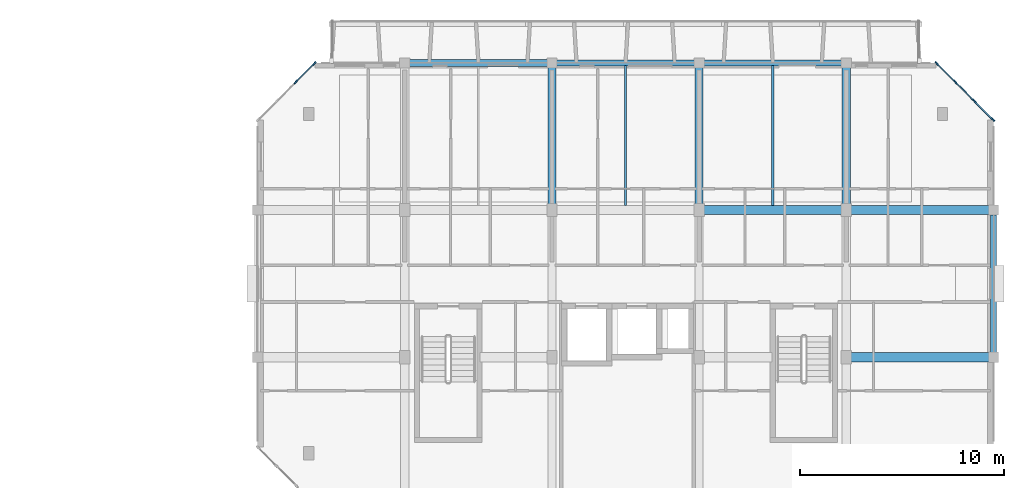
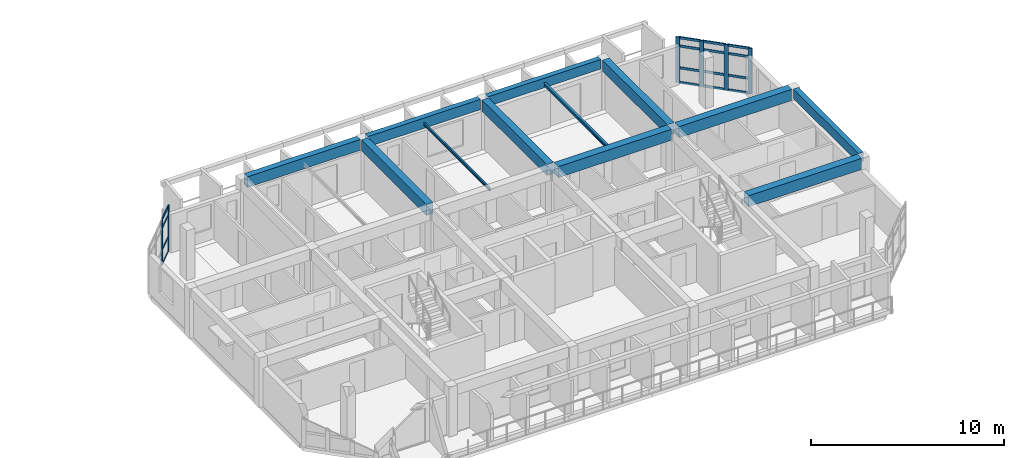
# One storey, part 10 of 46: 22 members, 12 beams, 2 elements without a shape of their own.
"""IFC4 building model written with IfcOpenShell, lengths in metres."""

from ifc_helpers import new_model, si_unit, direction, frame, origin, origin_2d, place, context, subcontext, project, spatial, rectangle, i_section, extrude, material, layer, layer_set, material_profile, profile_set, type_object, element, aggregate, save


model = new_model("IFC4")

# Units and contexts
model_context = context("Model", 3, precision=1e-05, world=origin(), true_north=direction((0.0, 1.0)))
body_context = subcontext(model_context, "Body", "Model", "MODEL_VIEW")
ifc_project = project(units=[si_unit("LENGTHUNIT", "METRE"), si_unit("AREAUNIT", "SQUARE_METRE"), si_unit("VOLUMEUNIT", "CUBIC_METRE"), si_unit("PLANEANGLEUNIT", "RADIAN"), si_unit("MASSUNIT", "GRAM", prefix="KILO")], contexts=[model_context])

# Site, building, storey
site_placement = place(None, origin())
site = spatial("IfcSite", under=ifc_project, at=site_placement, CompositionType="ELEMENT")
building_placement = place(site_placement, origin())
building = spatial("IfcBuilding", under=site, at=building_placement, Name="Ochrevale Crest", CompositionType="ELEMENT")
storey_placement = place(building_placement, frame((0.0, 0.0, 24.449951171875)))
storey = spatial("IfcBuildingStorey", under=building, at=storey_placement, Name="L07", CompositionType="ELEMENT", Elevation=24.449951171875)

# Beams
ifc_material_1 = material(Name="Precast concrete C50/60", Category="concrete")
ifc_material_profile_1 = material_profile(ifc_material_1, rectangle(XDim=0.39990234375, YDim=0.699951171875, at=origin_2d()), Name="PC 400x700")
ifc_profile_set_1 = profile_set([ifc_material_profile_1], Name="Precast concrete C50/60")
beam_type_1 = type_object("IfcBeamType", Name="BM-PC400x700", PredefinedType="BEAM", material=ifc_profile_set_1)
for number, where, z_axis, x_axis, name in (
    (1, (144.0, 86.6298828125, 2.800048828125), (0.0, 1.0, 0.0), (-1.0, 0.0, 0.0), "Block D L07 N-S beam X=144.0"),
    (2, (151.199951171875, 86.6298828125, 2.800048828125), (0.0, 1.0, 0.0), (-1.0, 0.0, 0.0), "Block D L07 N-S beam X=151.2"),
    (3, (158.39990234375, 86.6298828125, 2.800048828125), (0.0, 1.0, 0.0), (-1.0, 0.0, 0.0), "Block D L07 N-S beam X=158.4"),
):
    element("IfcBeam", number, at=place(storey_placement, frame(where, z_axis=z_axis, x_axis=x_axis)), inside=storey, type_object=beam_type_1, Name=name, PredefinedType="BEAM", context=body_context, shape_type="SweptSolid", body=[
        extrude(rectangle(XDim=0.39990234375, YDim=0.699951171875, at=origin_2d()), origin(), (0.0, 0.0, 1.0), 6.740234375),
    ])
ifc_material_2 = material(Name="Concrete C50/60", Category="concrete")
ifc_material_profile_2 = material_profile(ifc_material_2, rectangle(XDim=0.449951171875, YDim=0.699951171875, at=origin_2d()), Name="RC 450x700")
ifc_profile_set_2 = profile_set([ifc_material_profile_2], Name="Concrete C50/60")
beam_type_2 = type_object("IfcBeamType", Name="BM-PG450x700", PredefinedType="USERDEFINED", material=ifc_profile_set_2)
for number, where, z_axis, x_axis, name in (
    (4, (158.625, 79.199951171875, 2.800048828125), (1.0, 0.0, 0.0), (0.0, 1.0, 0.0), "Block D L07 E-W beam Y=79.2"),
    (5, (151.425048828125, 86.39990234375, 2.800048828125), (1.0, 0.0, 0.0), (0.0, 1.0, 0.0), "Block D L07 E-W beam Y=86.4"),
    (6, (158.625, 86.39990234375, 2.800048828125), (1.0, 0.0, 0.0), (0.0, 1.0, 0.0), "Block D L07 E-W beam Y=86.4"),
):
    element("IfcBeam", number, at=place(storey_placement, frame(where, z_axis=z_axis, x_axis=x_axis)), inside=storey, type_object=beam_type_2, Name=name, ObjectType="GIRDER", PredefinedType="USERDEFINED", context=body_context, shape_type="SweptSolid", body=[
        extrude(rectangle(XDim=0.449951171875, YDim=0.699951171875, at=origin_2d()), origin(), (0.0, 0.0, 1.0), 6.75),
    ])
ifc_material_3 = material(Name="Precast concrete C40/50", Category="concrete")
ifc_material_profile_3 = material_profile(ifc_material_3, rectangle(XDim=0.300048828125, YDim=0.60009765625, at=origin_2d()), Name="PC 300x600")
ifc_profile_set_3 = profile_set([ifc_material_profile_3], Name="Precast concrete C40/50")
beam_type_3 = type_object("IfcBeamType", Name="BM-SP300x600", PredefinedType="SPANDREL", material=ifc_profile_set_3)
beam_1_placement = place(storey_placement, frame((151.425048828125, 93.60009765625, 2.85009765625), z_axis=(1.0, 0.0, 0.0), x_axis=(0.0, 1.0, 0.0)))
element("IfcBeam", 7, at=beam_1_placement, inside=storey, type_object=beam_type_3, Name="Block D L07 E-W beam Y=93.6", PredefinedType="SPANDREL", context=body_context, shape_type="SweptSolid", body=[
    extrude(rectangle(XDim=0.300048828125, YDim=0.60009765625, at=origin_2d()), origin(), (0.0, 0.0, 1.0), 6.75),
])
beam_2_placement = place(storey_placement, frame((165.60009765625, 79.429931640625, 2.85009765625), z_axis=(0.0, 1.0, 0.0), x_axis=(-1.0, 0.0, 0.0)))
element("IfcBeam", 8, at=beam_2_placement, inside=storey, type_object=beam_type_3, Name="Block D L07 N-S beam X=165.6", PredefinedType="SPANDREL", context=body_context, shape_type="SweptSolid", body=[
    extrude(rectangle(XDim=0.300048828125, YDim=0.60009765625, at=origin_2d()), origin(), (0.0, 0.0, 1.0), 6.739990234375),
])
ifc_material_profile_4 = material_profile(ifc_material_3, rectangle(XDim=0.300048828125, YDim=0.64990234375, at=origin_2d()), Name="PC 300x650")
ifc_profile_set_4 = profile_set([ifc_material_profile_4], Name="Precast concrete C40/50")
beam_type_4 = type_object("IfcBeamType", Name="BM-SP300x650", PredefinedType="SPANDREL", material=ifc_profile_set_4)
beam_3_placement = place(storey_placement, frame((144.22509765625, 93.60009765625, 2.824951171875), z_axis=(1.0, 0.0, 0.0), x_axis=(0.0, 1.0, 0.0)))
element("IfcBeam", 9, at=beam_3_placement, inside=storey, type_object=beam_type_4, Name="Block D L07 E-W beam Y=93.6", PredefinedType="SPANDREL", context=body_context, shape_type="SweptSolid", body=[
    extrude(rectangle(XDim=0.300048828125, YDim=0.64990234375, at=origin_2d()), origin(), (0.0, 0.0, 1.0), 6.75),
])
ifc_material_profile_5 = material_profile(ifc_material_3, rectangle(XDim=0.35009765625, YDim=0.679931640625, at=origin_2d()), Name="PC 350x680")
ifc_profile_set_5 = profile_set([ifc_material_profile_5], Name="Precast concrete C40/50")
beam_type_5 = type_object("IfcBeamType", Name="BM-SP350x680", PredefinedType="SPANDREL", material=ifc_profile_set_5)
beam_4_placement = place(storey_placement, frame((137.02490234375, 93.60009765625, 2.81005859375), z_axis=(1.0, 0.0, 0.0), x_axis=(0.0, 1.0, 0.0)))
element("IfcBeam", 10, at=beam_4_placement, inside=storey, type_object=beam_type_5, Name="Block D L07 E-W beam Y=93.6", PredefinedType="SPANDREL", context=body_context, shape_type="SweptSolid", body=[
    extrude(rectangle(XDim=0.35009765625, YDim=0.679931640625, at=origin_2d()), origin(), (0.0, 0.0, 1.0), 6.75),
])
ifc_material_4 = material(Name="Steel S355", Category="steel")
ifc_material_profile_6 = material_profile(ifc_material_4, i_section(OverallWidth=0.090087890625, OverallDepth=0.1787109375, WebThickness=0.006103515625, FlangeThickness=0.010009765625, FilletRadius=0.0087890625, at=origin_2d()), Name="180UB22.2")
ifc_profile_set_6 = profile_set([ifc_material_profile_6], Name="Steel S355")
beam_type_6 = type_object("IfcBeamType", Name="BM-UB180", PredefinedType="JOIST", material=ifc_profile_set_6)
beam_5_placement = place(storey_placement, frame((147.60009765625, 86.613037109375, 2.78564453125), z_axis=(0.0, 1.0, 0.0), x_axis=(-1.0, 0.0, 0.0)))
element("IfcBeam", 11, at=beam_5_placement, inside=storey, type_object=beam_type_6, Name="Block D L07 composite plank trimmer beam 3", PredefinedType="JOIST", context=body_context, shape_type="SweptSolid", body=[
    extrude(i_section(OverallWidth=0.090087890625, OverallDepth=0.1787109375, WebThickness=0.006103515625, FlangeThickness=0.010009765625, FilletRadius=0.0087890625, at=origin_2d()), origin(), (0.0, 0.0, 1.0), 6.848876953125),
])
ifc_material_profile_7 = material_profile(ifc_material_4, i_section(OverallWidth=0.13330078125, OverallDepth=0.203125, WebThickness=0.005859375, FlangeThickness=0.0078125, FilletRadius=0.0087890625, at=origin_2d()), Name="200UB25.4")
ifc_profile_set_7 = profile_set([ifc_material_profile_7], Name="Steel S355")
beam_type_7 = type_object("IfcBeamType", Name="BM-UB200A", PredefinedType="JOIST", material=ifc_profile_set_7)
beam_6_placement = place(storey_placement, frame((154.800048828125, 86.613037109375, 2.7734375), z_axis=(0.0, 1.0, 0.0), x_axis=(-1.0, 0.0, 0.0)))
element("IfcBeam", 12, at=beam_6_placement, inside=storey, type_object=beam_type_7, Name="Block D L07 composite plank trimmer beam 4", PredefinedType="JOIST", context=body_context, shape_type="SweptSolid", body=[
    extrude(i_section(OverallWidth=0.13330078125, OverallDepth=0.203125, WebThickness=0.005859375, FlangeThickness=0.0078125, FilletRadius=0.0087890625, at=origin_2d()), origin(), (0.0, 0.0, 1.0), 6.848876953125),
])

# Curtain wall, members
ifc_material_5 = material(Name="Anodised aluminium 6063-T5", Category="aluminium")
ifc_layer_1 = layer(ifc_material_5, 0.14990234375)
ifc_layer_set_1 = layer_set([ifc_layer_1], Name="Anodised aluminium 6063-T5")
curtain_wall_type_1 = type_object("IfcCurtainWallType", Name="CW-WG-280x285", PredefinedType="NOTDEFINED", material=ifc_layer_set_1)
curtain_wall_1_placement = place(storey_placement, origin())
curtain_wall_1 = element("IfcCurtainWall", 13, at=curtain_wall_1_placement, inside=storey, type_object=curtain_wall_type_1, Name="Block D L07 chamfered corner wintergarden curtain wall 4", PredefinedType="NOTDEFINED")
ifc_material_profile_8 = material_profile(ifc_material_5, rectangle(XDim=0.074951171875, YDim=0.219970703125, at=origin_2d()), Name="ALU 75x220")
ifc_profile_set_8 = profile_set([ifc_material_profile_8], Name="Anodised aluminium 6063-T5")
member_type_1 = type_object("IfcMemberType", Name="CW-MUL-75x220", PredefinedType="MULLION", material=ifc_profile_set_8)
member_1_placement = place(storey_placement, frame((165.573486328125, 90.826416015625, 0.0), z_axis=(0.0, 0.0, 1.0), x_axis=(-0.707106781187, -0.707106781187, 0.0)))
member_1 = element("IfcMember", 14, at=member_1_placement, type_object=member_type_1, Name="CW16 mullion 1", PredefinedType="MULLION", context=body_context, shape_type="SweptSolid", body=[
    extrude(rectangle(XDim=0.074951171875, YDim=0.219970703125, at=origin_2d()), origin(), (0.0, 0.0, 1.0), 2.875),
])
member_2_placement = place(storey_placement, frame((164.666748046875, 91.7333984375, 0.0), z_axis=(0.0, 0.0, 1.0), x_axis=(-0.707106781187, -0.707106781187, 0.0)))
member_2 = element("IfcMember", 15, at=member_2_placement, type_object=member_type_1, Name="CW16 mullion 2", PredefinedType="MULLION", context=body_context, shape_type="SweptSolid", body=[
    extrude(rectangle(XDim=0.074951171875, YDim=0.219970703125, at=origin_2d()), origin(), (0.0, 0.0, 1.0), 2.875),
])
member_3_placement = place(storey_placement, frame((163.7333984375, 92.666748046875, 0.0), z_axis=(0.0, 0.0, 1.0), x_axis=(-0.707106781187, -0.707106781187, 0.0)))
member_3 = element("IfcMember", 16, at=member_3_placement, type_object=member_type_1, Name="CW16 mullion 3", PredefinedType="MULLION", context=body_context, shape_type="SweptSolid", body=[
    extrude(rectangle(XDim=0.074951171875, YDim=0.219970703125, at=origin_2d()), origin(), (0.0, 0.0, 1.0), 2.875),
])
member_4_placement = place(storey_placement, frame((162.826416015625, 93.573486328125, 0.0), z_axis=(0.0, 0.0, 1.0), x_axis=(-0.707106781187, -0.707106781187, 0.0)))
member_4 = element("IfcMember", 17, at=member_4_placement, type_object=member_type_1, Name="CW16 mullion 4", PredefinedType="MULLION", context=body_context, shape_type="SweptSolid", body=[
    extrude(rectangle(XDim=0.074951171875, YDim=0.219970703125, at=origin_2d()), origin(), (0.0, 0.0, 1.0), 2.875),
])

ifc_layer_2 = layer(ifc_material_5, 0.14990234375)
ifc_layer_set_2 = layer_set([ifc_layer_2], Name="Anodised aluminium 6063-T5")
curtain_wall_type_2 = type_object("IfcCurtainWallType", Name="CW-WG-360x285", PredefinedType="NOTDEFINED", material=ifc_layer_set_2)
curtain_wall_2_placement = place(storey_placement, origin())
curtain_wall_2 = element("IfcCurtainWall", 18, at=curtain_wall_2_placement, inside=storey, type_object=curtain_wall_type_2, Name="Block D L07 chamfered corner wintergarden curtain wall 6", PredefinedType="NOTDEFINED")
member_5_placement = place(storey_placement, frame((132.37353515625, 93.573486328125, 0.0), z_axis=(0.0, 0.0, 1.0), x_axis=(0.707106781187, -0.707106781187, 0.0)))
member_5 = element("IfcMember", 19, at=member_5_placement, type_object=member_type_1, Name="CW18 mullion 1", PredefinedType="MULLION", context=body_context, shape_type="SweptSolid", body=[
    extrude(rectangle(XDim=0.074951171875, YDim=0.219970703125, at=origin_2d()), origin(), (0.0, 0.0, 1.0), 2.875),
])
member_6_placement = place(storey_placement, frame((131.466552734375, 92.666748046875, 0.0), z_axis=(0.0, 0.0, 1.0), x_axis=(0.707106781187, -0.707106781187, 0.0)))
member_6 = element("IfcMember", 20, at=member_6_placement, type_object=member_type_1, Name="CW18 mullion 2", PredefinedType="MULLION", context=body_context, shape_type="SweptSolid", body=[
    extrude(rectangle(XDim=0.074951171875, YDim=0.219970703125, at=origin_2d()), origin(), (0.0, 0.0, 1.0), 2.875),
])

# Member
ifc_material_profile_9 = material_profile(ifc_material_5, rectangle(XDim=0.06005859375, YDim=0.14990234375, at=origin_2d()), Name="ALU 60x150")
ifc_profile_set_9 = profile_set([ifc_material_profile_9], Name="Anodised aluminium 6063-T5")
member_type_2 = type_object("IfcMemberType", Name="CW-TRN-60x150", PredefinedType="USERDEFINED", material=ifc_profile_set_9)
member_7_placement = place(storey_placement, frame((165.546875, 90.85302734375, 0.030029296875), z_axis=(-0.707106781187, 0.707106781187, 0.0), x_axis=(-0.707106781187, -0.707106781187, 0.0)))
member_7 = element("IfcMember", 21, at=member_7_placement, type_object=member_type_2, Name="CW16 transom 1.1", ObjectType="TRANSOM", PredefinedType="USERDEFINED", context=body_context, shape_type="SweptSolid", body=[
    extrude(rectangle(XDim=0.06005859375, YDim=0.14990234375, at=origin_2d()), origin(), (0.0, 0.0, 1.0), 1.20751953125),
])

member_8_placement = place(storey_placement, frame((165.546875, 90.85302734375, 0.949951171875), z_axis=(-0.707106781187, 0.707106781187, 0.0), x_axis=(-0.707106781187, -0.707106781187, 0.0)))
member_8 = element("IfcMember", 22, at=member_8_placement, type_object=member_type_2, Name="CW16 transom 1.2", ObjectType="TRANSOM", PredefinedType="USERDEFINED", context=body_context, shape_type="SweptSolid", body=[
    extrude(rectangle(XDim=0.06005859375, YDim=0.14990234375, at=origin_2d()), origin(), (0.0, 0.0, 1.0), 1.20751953125),
])

member_9_placement = place(storey_placement, frame((165.546875, 90.85302734375, 2.324951171875), z_axis=(-0.707106781187, 0.707106781187, 0.0), x_axis=(-0.707106781187, -0.707106781187, 0.0)))
member_9 = element("IfcMember", 23, at=member_9_placement, type_object=member_type_2, Name="CW16 transom 1.3", ObjectType="TRANSOM", PredefinedType="USERDEFINED", context=body_context, shape_type="SweptSolid", body=[
    extrude(rectangle(XDim=0.06005859375, YDim=0.14990234375, at=origin_2d()), origin(), (0.0, 0.0, 1.0), 1.20751953125),
])

member_10_placement = place(storey_placement, frame((165.546875, 90.85302734375, 2.844970703125), z_axis=(-0.707106781187, 0.707106781187, 0.0), x_axis=(-0.707106781187, -0.707106781187, 0.0)))
member_10 = element("IfcMember", 24, at=member_10_placement, type_object=member_type_2, Name="CW16 transom 1.4", ObjectType="TRANSOM", PredefinedType="USERDEFINED", context=body_context, shape_type="SweptSolid", body=[
    extrude(rectangle(XDim=0.06005859375, YDim=0.14990234375, at=origin_2d()), origin(), (0.0, 0.0, 1.0), 1.20751953125),
])

member_11_placement = place(storey_placement, frame((164.64013671875, 91.759765625, 0.030029296875), z_axis=(-0.707106781187, 0.707106781187, 0.0), x_axis=(-0.707106781187, -0.707106781187, 0.0)))
member_11 = element("IfcMember", 25, at=member_11_placement, type_object=member_type_2, Name="CW16 transom 2.1", ObjectType="TRANSOM", PredefinedType="USERDEFINED", context=body_context, shape_type="SweptSolid", body=[
    extrude(rectangle(XDim=0.06005859375, YDim=0.14990234375, at=origin_2d()), origin(), (0.0, 0.0, 1.0), 1.2451171875),
])

member_12_placement = place(storey_placement, frame((164.64013671875, 91.759765625, 0.949951171875), z_axis=(-0.707106781187, 0.707106781187, 0.0), x_axis=(-0.707106781187, -0.707106781187, 0.0)))
member_12 = element("IfcMember", 26, at=member_12_placement, type_object=member_type_2, Name="CW16 transom 2.2", ObjectType="TRANSOM", PredefinedType="USERDEFINED", context=body_context, shape_type="SweptSolid", body=[
    extrude(rectangle(XDim=0.06005859375, YDim=0.14990234375, at=origin_2d()), origin(), (0.0, 0.0, 1.0), 1.2451171875),
])

member_13_placement = place(storey_placement, frame((164.64013671875, 91.759765625, 2.324951171875), z_axis=(-0.707106781187, 0.707106781187, 0.0), x_axis=(-0.707106781187, -0.707106781187, 0.0)))
member_13 = element("IfcMember", 27, at=member_13_placement, type_object=member_type_2, Name="CW16 transom 2.3", ObjectType="TRANSOM", PredefinedType="USERDEFINED", context=body_context, shape_type="SweptSolid", body=[
    extrude(rectangle(XDim=0.06005859375, YDim=0.14990234375, at=origin_2d()), origin(), (0.0, 0.0, 1.0), 1.2451171875),
])

member_14_placement = place(storey_placement, frame((164.64013671875, 91.759765625, 2.844970703125), z_axis=(-0.707106781187, 0.707106781187, 0.0), x_axis=(-0.707106781187, -0.707106781187, 0.0)))
member_14 = element("IfcMember", 28, at=member_14_placement, type_object=member_type_2, Name="CW16 transom 2.4", ObjectType="TRANSOM", PredefinedType="USERDEFINED", context=body_context, shape_type="SweptSolid", body=[
    extrude(rectangle(XDim=0.06005859375, YDim=0.14990234375, at=origin_2d()), origin(), (0.0, 0.0, 1.0), 1.2451171875),
])

member_15_placement = place(storey_placement, frame((163.706787109375, 92.693115234375, 0.030029296875), z_axis=(-0.707106781187, 0.707106781187, 0.0), x_axis=(-0.707106781187, -0.707106781187, 0.0)))
member_15 = element("IfcMember", 29, at=member_15_placement, type_object=member_type_2, Name="CW16 transom 3.1", ObjectType="TRANSOM", PredefinedType="USERDEFINED", context=body_context, shape_type="SweptSolid", body=[
    extrude(rectangle(XDim=0.06005859375, YDim=0.14990234375, at=origin_2d()), origin(), (0.0, 0.0, 1.0), 1.20751953125),
])

member_16_placement = place(storey_placement, frame((163.706787109375, 92.693115234375, 0.949951171875), z_axis=(-0.707106781187, 0.707106781187, 0.0), x_axis=(-0.707106781187, -0.707106781187, 0.0)))
member_16 = element("IfcMember", 30, at=member_16_placement, type_object=member_type_2, Name="CW16 transom 3.2", ObjectType="TRANSOM", PredefinedType="USERDEFINED", context=body_context, shape_type="SweptSolid", body=[
    extrude(rectangle(XDim=0.06005859375, YDim=0.14990234375, at=origin_2d()), origin(), (0.0, 0.0, 1.0), 1.20751953125),
])

member_17_placement = place(storey_placement, frame((163.706787109375, 92.693115234375, 2.324951171875), z_axis=(-0.707106781187, 0.707106781187, 0.0), x_axis=(-0.707106781187, -0.707106781187, 0.0)))
member_17 = element("IfcMember", 31, at=member_17_placement, type_object=member_type_2, Name="CW16 transom 3.3", ObjectType="TRANSOM", PredefinedType="USERDEFINED", context=body_context, shape_type="SweptSolid", body=[
    extrude(rectangle(XDim=0.06005859375, YDim=0.14990234375, at=origin_2d()), origin(), (0.0, 0.0, 1.0), 1.20751953125),
])

member_18_placement = place(storey_placement, frame((163.706787109375, 92.693115234375, 2.844970703125), z_axis=(-0.707106781187, 0.707106781187, 0.0), x_axis=(-0.707106781187, -0.707106781187, 0.0)))
member_18 = element("IfcMember", 32, at=member_18_placement, type_object=member_type_2, Name="CW16 transom 3.4", ObjectType="TRANSOM", PredefinedType="USERDEFINED", context=body_context, shape_type="SweptSolid", body=[
    extrude(rectangle(XDim=0.06005859375, YDim=0.14990234375, at=origin_2d()), origin(), (0.0, 0.0, 1.0), 1.20751953125),
])

aggregate(curtain_wall_1, [member_1, member_2, member_3, member_4, member_7, member_8, member_9, member_10, member_11, member_12, member_13, member_14, member_15, member_16, member_17, member_18])

member_19_placement = place(storey_placement, frame((132.346923828125, 93.546875, 0.030029296875), z_axis=(-0.707106781187, -0.707106781187, 0.0), x_axis=(0.707106781187, -0.707106781187, 0.0)))
member_19 = element("IfcMember", 33, at=member_19_placement, type_object=member_type_2, Name="CW18 transom 1.1", ObjectType="TRANSOM", PredefinedType="USERDEFINED", context=body_context, shape_type="SweptSolid", body=[
    extrude(rectangle(XDim=0.06005859375, YDim=0.14990234375, at=origin_2d()), origin(), (0.0, 0.0, 1.0), 1.20751953125),
])

member_20_placement = place(storey_placement, frame((132.346923828125, 93.546875, 0.949951171875), z_axis=(-0.707106781187, -0.707106781187, 0.0), x_axis=(0.707106781187, -0.707106781187, 0.0)))
member_20 = element("IfcMember", 34, at=member_20_placement, type_object=member_type_2, Name="CW18 transom 1.2", ObjectType="TRANSOM", PredefinedType="USERDEFINED", context=body_context, shape_type="SweptSolid", body=[
    extrude(rectangle(XDim=0.06005859375, YDim=0.14990234375, at=origin_2d()), origin(), (0.0, 0.0, 1.0), 1.20751953125),
])

member_21_placement = place(storey_placement, frame((132.346923828125, 93.546875, 2.324951171875), z_axis=(-0.707106781187, -0.707106781187, 0.0), x_axis=(0.707106781187, -0.707106781187, 0.0)))
member_21 = element("IfcMember", 35, at=member_21_placement, type_object=member_type_2, Name="CW18 transom 1.3", ObjectType="TRANSOM", PredefinedType="USERDEFINED", context=body_context, shape_type="SweptSolid", body=[
    extrude(rectangle(XDim=0.06005859375, YDim=0.14990234375, at=origin_2d()), origin(), (0.0, 0.0, 1.0), 1.20751953125),
])

member_22_placement = place(storey_placement, frame((132.346923828125, 93.546875, 2.844970703125), z_axis=(-0.707106781187, -0.707106781187, 0.0), x_axis=(0.707106781187, -0.707106781187, 0.0)))
member_22 = element("IfcMember", 36, at=member_22_placement, type_object=member_type_2, Name="CW18 transom 1.4", ObjectType="TRANSOM", PredefinedType="USERDEFINED", context=body_context, shape_type="SweptSolid", body=[
    extrude(rectangle(XDim=0.06005859375, YDim=0.14990234375, at=origin_2d()), origin(), (0.0, 0.0, 1.0), 1.20751953125),
])

aggregate(curtain_wall_2, [member_5, member_6, member_19, member_20, member_21, member_22])

save(model, "model.ifc")
